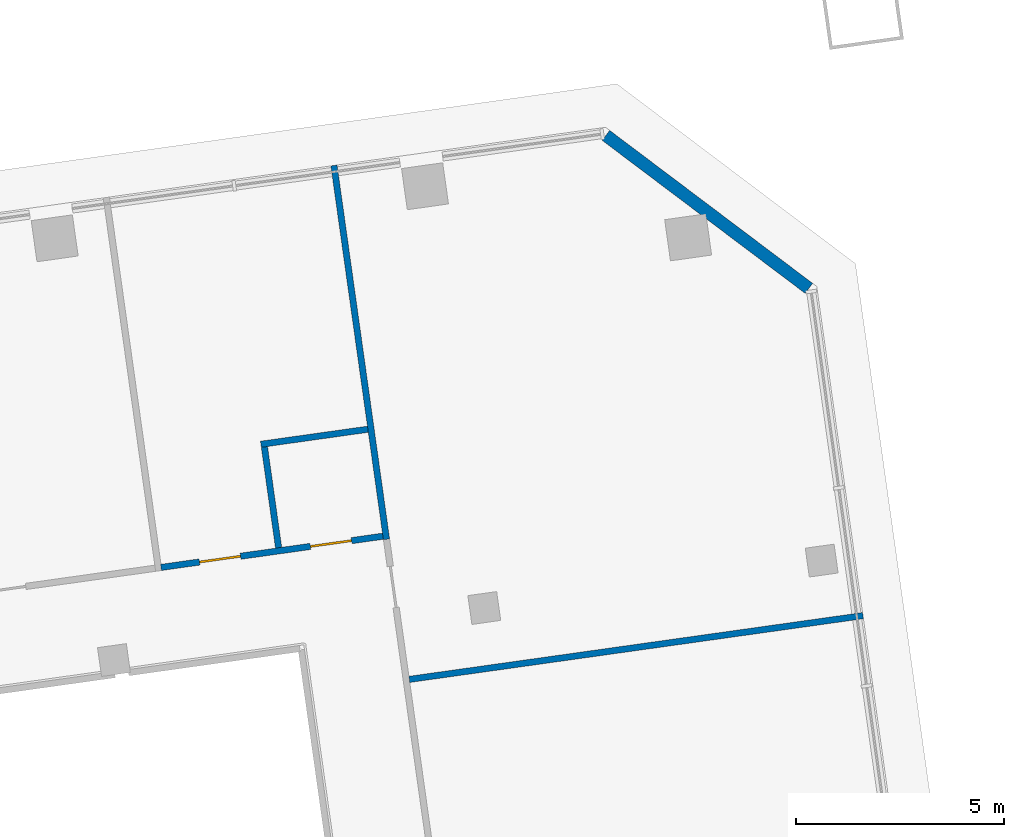
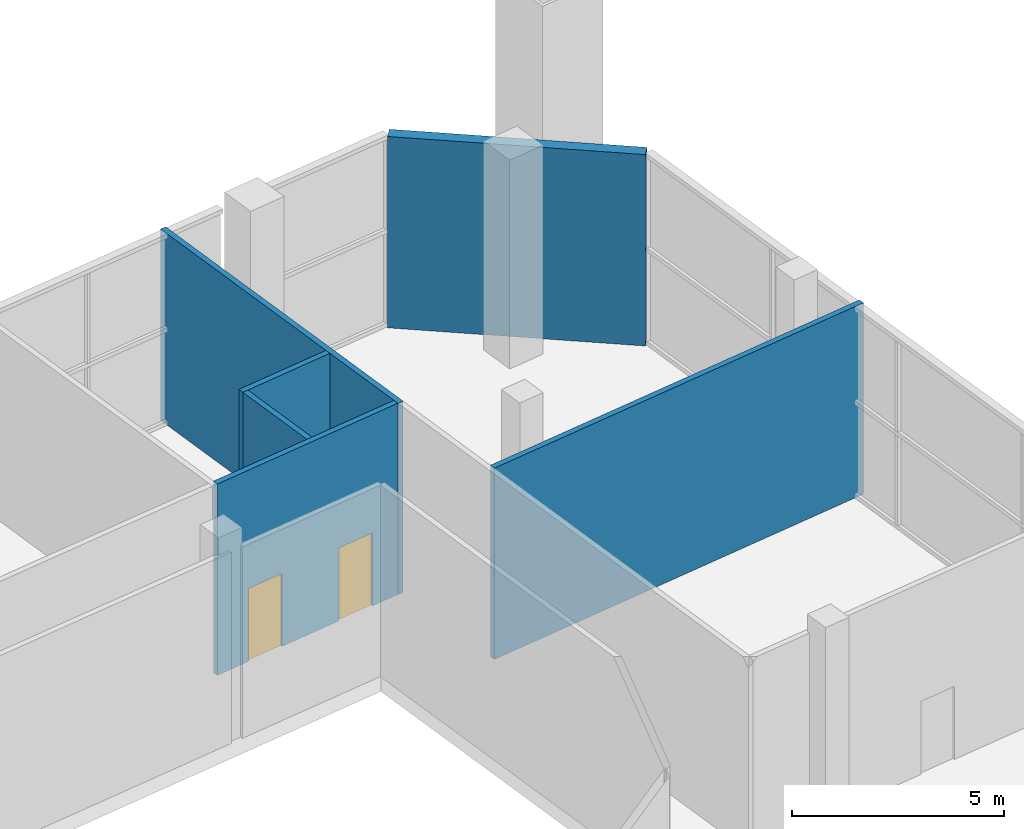
# One storey, part 19 of 24: 6 walls, 2 doors, 2 openings.
"""IFC4 building model written with IfcOpenShell, lengths in metres."""

from ifc_helpers import new_model, si_unit, direction, frame, frame_2d, origin, place, context, subcontext, project, spatial, rectangle, extrude, material, layer, layer_set, type_object, element, fill, save


model = new_model("IFC4")

# Units and contexts
model_context = context("Model", 3, precision=1e-05, world=origin(), true_north=direction((0.0, 1.0)))
body_context = subcontext(model_context, "Body", "Model", "MODEL_VIEW")
ifc_project = project(units=[si_unit("LENGTHUNIT", "METRE"), si_unit("AREAUNIT", "SQUARE_METRE"), si_unit("VOLUMEUNIT", "CUBIC_METRE"), si_unit("PLANEANGLEUNIT", "RADIAN"), si_unit("MASSUNIT", "GRAM", prefix="KILO")], contexts=[model_context])

# Site, building, storey
site_placement = place(None, origin())
site = spatial("IfcSite", under=ifc_project, at=site_placement, CompositionType="ELEMENT")
building_placement = place(site_placement, origin())
building = spatial("IfcBuilding", under=site, at=building_placement, Name="Mirante Cascada Hotel Towers", CompositionType="ELEMENT")
storey_placement = place(building_placement, frame((0.0, 0.0, 17.5)))
storey = spatial("IfcBuildingStorey", under=building, at=storey_placement, Name="L02", CompositionType="ELEMENT", Elevation=17.5)

# Walls
ifc_material_1 = material(Name="Masonry block", Category="masonry")
ifc_layer_1 = layer(ifc_material_1, 0.15)
ifc_layer_set_1 = layer_set([ifc_layer_1], Name="Partition 150 block")
wall_type_1 = type_object("IfcWallType", Name="Partition 150 block", PredefinedType="PARTITIONING", material=ifc_layer_set_1)
wall_1_placement = place(storey_placement, frame((89.477, 12.9228, 0.0), z_axis=(0.0, 0.0, 1.0), x_axis=(0.9902679, 0.1391746, 0.0)))
element("IfcWall", 1, at=wall_1_placement, inside=storey, type_object=wall_type_1, Name="Partition T2 L02", PredefinedType="PARTITIONING", context=body_context, shape_type="SweptSolid", body=[
    extrude(rectangle(XDim=11.025, YDim=0.15, at=frame_2d((5.5125, 0.0))), origin(), (0.0, 0.0, 1.0), 5.5),
])
ifc_material_2 = material(Name="Precast concrete C40/50", Category="concrete")
ifc_layer_2 = layer(ifc_material_2, 0.3)
ifc_layer_set_2 = layer_set([ifc_layer_2], Name="Precast concrete C40/50 cladding wall 300")
wall_type_2 = type_object("IfcWallType", Name="Precast concrete C40/50 cladding wall 300", PredefinedType="STANDARD", material=ifc_layer_set_2)
wall_2_placement = place(storey_placement, frame((99.0919, 22.3343, 0.0), z_axis=(0.0, 0.0, 1.0), x_axis=(-0.7986362, 0.6018141, 0.0)))
element("IfcWall", 2, at=wall_2_placement, inside=storey, type_object=wall_type_2, Name="Corner cladding wall T2 L02 outer front", PredefinedType="STANDARD", context=body_context, shape_type="SweptSolid", body=[
    extrude(rectangle(XDim=6.1157, YDim=0.3, at=frame_2d((3.0578, 0.0))), origin(), (0.0, 0.0, 1.0), 5.5),
])
ifc_material_3 = material(Name="Masonry block", Category="masonry")
ifc_layer_3 = layer(ifc_material_3, 0.15)
ifc_layer_set_3 = layer_set([ifc_layer_3], Name="Wet room wall 150 block")
wall_type_3 = type_object("IfcWallType", Name="Wet room wall 150 block", PredefinedType="PARTITIONING", material=ifc_layer_set_3)
wall_3_placement = place(storey_placement, frame((85.9895, 18.5169, 0.0), z_axis=(0.0, 0.0, 1.0), x_axis=(0.139181, -0.990267, 0.0)))
element("IfcWall", 3, at=wall_3_placement, inside=storey, type_object=wall_type_3, Name="Wet room wall T2 L02", PredefinedType="PARTITIONING", context=body_context, shape_type="SweptSolid", body=[
    extrude(rectangle(XDim=2.45, YDim=0.15, at=frame_2d((1.225, 0.0))), origin(), (0.0, 0.0, 1.0), 5.5),
])
wall_4_placement = place(storey_placement, frame((87.663, 25.2907, 0.0), z_axis=(0.0, 0.0, 1.0), x_axis=(0.1391742, -0.9902679, 0.0)))
element("IfcWall", 4, at=wall_4_placement, inside=storey, type_object=wall_type_3, Name="Wet room wall T2 L02", PredefinedType="PARTITIONING", context=body_context, shape_type="SweptSolid", body=[
    extrude(rectangle(XDim=9.085, YDim=0.15, at=frame_2d((4.5425, 0.0))), origin(), (0.0, 0.0, 1.0), 5.5),
])

# Wall, openings, doors
wall_5_placement = place(storey_placement, frame((83.5005, 15.6173, 0.0), z_axis=(0.0, 0.0, 1.0), x_axis=(0.9902681, 0.139173, 0.0)))
wall_5 = element("IfcWall", 5, at=wall_5_placement, inside=storey, type_object=wall_type_3, Name="Wet room wall T2 L02", PredefinedType="PARTITIONING", context=body_context, shape_type="SweptSolid", body=[
    extrude(rectangle(XDim=5.3933, YDim=0.15, at=frame_2d((2.6966, 0.0))), origin(), (0.0, 0.0, 1.0), 5.5),
])
opening_1_placement = place(wall_5_placement, frame((0.9342, 0.0, 0.0)))
opening_1 = element("IfcOpeningElement", 6, at=opening_1_placement, cuts=wall_5, Name="Opening DP2-L02-10", PredefinedType="OPENING", context=body_context, shape_type="SweptSolid", body=[
    extrude(rectangle(XDim=1.0, YDim=2.1, at=frame_2d((0.5, 1.05))), frame((0.0, 0.075, 0.0), z_axis=(0.0, -1.0, 0.0), x_axis=(1.0, 0.0, 0.0)), (0.0, 0.0, 1.0), 0.15),
])
opening_2_placement = place(wall_5_placement, frame((3.6308, 0.0, 0.0)))
opening_2 = element("IfcOpeningElement", 7, at=opening_2_placement, cuts=wall_5, Name="Opening DP2-L02-11", PredefinedType="OPENING", context=body_context, shape_type="SweptSolid", body=[
    extrude(rectangle(XDim=1.0, YDim=2.1, at=frame_2d((0.5, 1.05))), frame((0.0, 0.075, 0.0), z_axis=(0.0, -1.0, 0.0), x_axis=(1.0, 0.0, 0.0)), (0.0, 0.0, 1.0), 0.15),
])
ifc_material_4 = material(Name="Timber door leaf", Category="wood")
door_type = type_object("IfcDoorType", Name="Single door 1000x2100", OperationType="NOTDEFINED", PredefinedType="DOOR", material=ifc_material_4)
door_1_placement = place(opening_1_placement, origin())
door_1 = element("IfcDoor", 8, at=door_1_placement, inside=storey, type_object=door_type, Name="Door DP2-L02-10", OperationType="SINGLE_SWING_RIGHT", OverallHeight=2.1, OverallWidth=1.0, PredefinedType="DOOR", context=body_context, shape_type="SweptSolid", body=[
    extrude(rectangle(XDim=1.0, YDim=2.1, at=frame_2d((0.5, 1.05))), frame((0.0, 0.025, 0.0), z_axis=(0.0, -1.0, 0.0), x_axis=(1.0, 0.0, 0.0)), (0.0, 0.0, 1.0), 0.05),
])
fill(opening_1, door_1)
door_2_placement = place(opening_2_placement, origin())
door_2 = element("IfcDoor", 9, at=door_2_placement, inside=storey, type_object=door_type, Name="Door DP2-L02-11", OperationType="SINGLE_SWING_LEFT", OverallHeight=2.1, OverallWidth=1.0, PredefinedType="DOOR", context=body_context, shape_type="SweptSolid", body=[
    extrude(rectangle(XDim=1.0, YDim=2.1, at=frame_2d((0.5, 1.05))), frame((0.0, 0.025, 0.0), z_axis=(0.0, -1.0, 0.0), x_axis=(1.0, 0.0, 0.0)), (0.0, 0.0, 1.0), 0.05),
])
fill(opening_2, door_2)

# Wall
wall_6_placement = place(storey_placement, frame((85.9048, 18.5807, 0.0), z_axis=(0.0, 0.0, 1.0), x_axis=(0.9902654, 0.1391918, 0.0)))
element("IfcWall", 10, at=wall_6_placement, inside=storey, type_object=wall_type_3, Name="Wet room wall T2 L02", PredefinedType="PARTITIONING", context=body_context, shape_type="SweptSolid", body=[
    extrude(rectangle(XDim=2.6, YDim=0.15, at=frame_2d((1.3, 0.0))), origin(), (0.0, 0.0, 1.0), 5.5),
])

save(model, "model.ifc")
